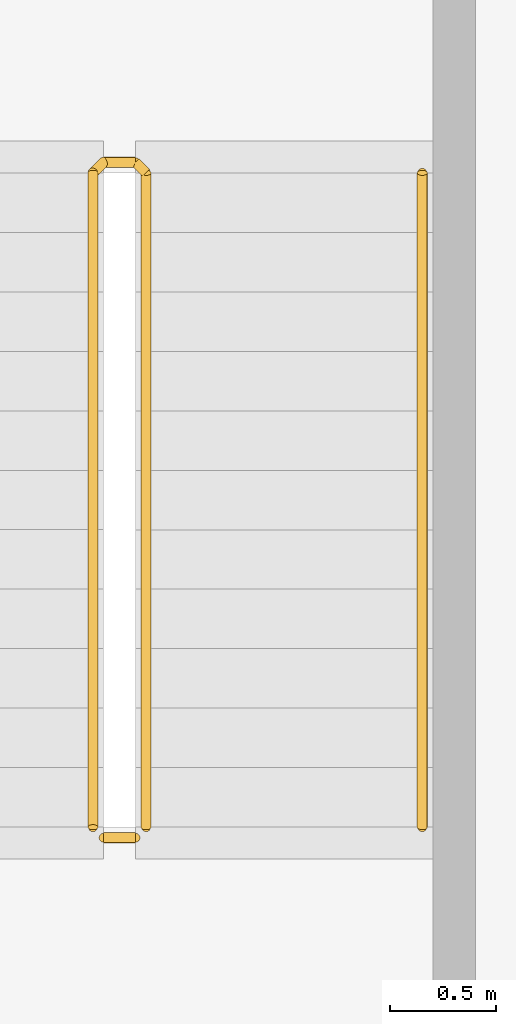
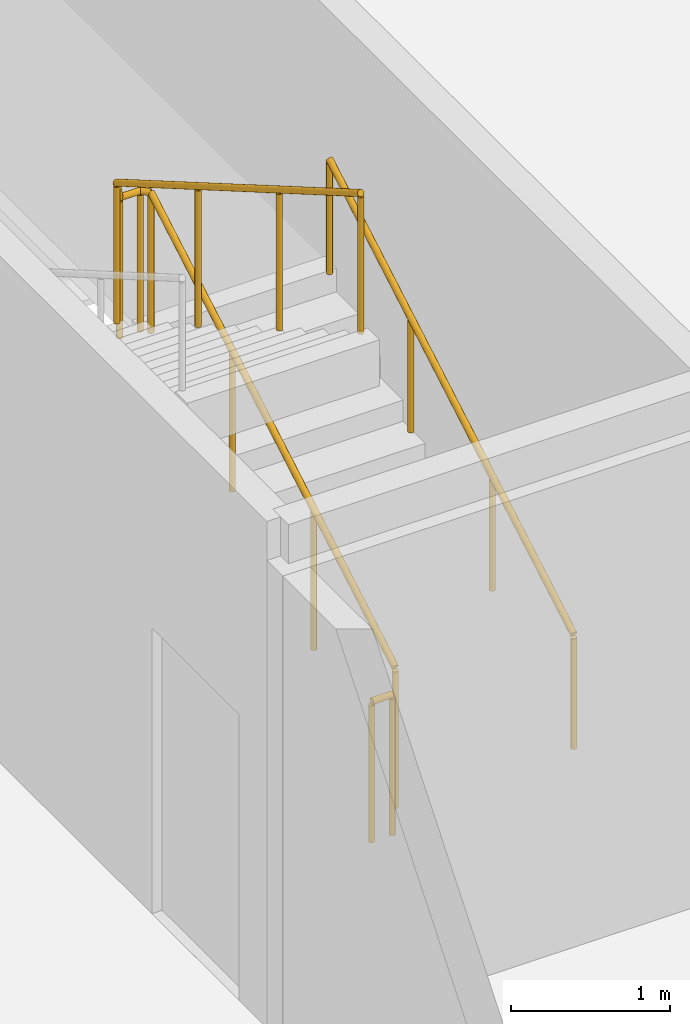
# One storey, part 25 of 26: 3 railings.
"""IFC4 building model written with IfcOpenShell, lengths in metres."""

from ifc_helpers import new_model, si_unit, direction, frame, origin, origin_2d, place, context, subcontext, project, spatial, circle, extrude, material, type_object, element, save


model = new_model("IFC4")

# Units and contexts
model_context = context("Model", 3, precision=1e-05, world=origin(), true_north=direction((0.0, 1.0)))
body_context = subcontext(model_context, "Body", "Model", "MODEL_VIEW")
ifc_project = project(units=[si_unit("LENGTHUNIT", "METRE"), si_unit("AREAUNIT", "SQUARE_METRE"), si_unit("VOLUMEUNIT", "CUBIC_METRE"), si_unit("PLANEANGLEUNIT", "RADIAN"), si_unit("MASSUNIT", "GRAM", prefix="KILO")], contexts=[model_context])

# Site, building, storey
site_placement = place(None, origin())
site = spatial("IfcSite", under=ifc_project, at=site_placement, CompositionType="ELEMENT")
building_placement = place(site_placement, origin())
building = spatial("IfcBuilding", under=site, at=building_placement, Name="Kheshtan School and Residences Tower", CompositionType="ELEMENT")
storey_placement = place(building_placement, frame((0.0, 0.0, 105.800048828125)))
storey = spatial("IfcBuildingStorey", under=building, at=storey_placement, Name="L24", CompositionType="ELEMENT", Elevation=105.800048828125)

# Railings
ifc_material_1 = material(Name="Stainless steel balustrade", Category="steel")
railing_type_1 = type_object("IfcRailingType", Name="Stair guard 1100", PredefinedType="GUARDRAIL", material=ifc_material_1)
railing_1_placement = place(storey_placement, frame((35.0, 80.89990234375, 0.162353515625)))
element("IfcRailing", 1, at=railing_1_placement, inside=storey, type_object=railing_type_1, Name="L24 ST3 stair guard 1", PredefinedType="GUARDRAIL", context=body_context, shape_type="SweptSolid", body=[
    extrude(circle(Radius=0.02392578125, at=origin_2d()), frame((0.0, 0.0, 1.076171875), z_axis=(0.0, 0.864890721111, 0.501960198159), x_axis=(-1.0, 0.0, 0.0)), (0.0, 0.0, 1.0), 3.561279296875),
    extrude(circle(Radius=0.02392578125, at=origin_2d()), frame((0.0, 3.080078125, 2.86376953125), z_axis=(-0.707106781187, 0.707106781187, 0.0), x_axis=(-0.707106781187, -0.707106781187, 0.0)), (0.0, 0.0, 1.0), 0.07080078125),
    extrude(circle(Radius=0.02392578125, at=origin_2d()), frame((-0.050048828125, 3.130126953125, 2.86376953125), z_axis=(-1.0, 0.0, 0.0), x_axis=(0.0, -1.0, 0.0)), (0.0, 0.0, 1.0), 0.14990234375),
    extrude(circle(Radius=0.02392578125, at=origin_2d()), frame((-0.199951171875, 3.130126953125, 2.86376953125), z_axis=(-0.282227285176, -0.282227285176, 0.916894497205), x_axis=(0.707106781187, -0.707106781187, 0.0)), (0.0, 0.0, 1.0), 0.17724609375),
    extrude(circle(Radius=0.02392578125, at=origin_2d()), frame((-0.25, 3.080078125, 3.0263671875), z_axis=(0.0, -0.864920483161, 0.501908913857), x_axis=(1.0, 0.0, 0.0)), (0.0, 0.0, 1.0), 3.56103515625),
    extrude(circle(Radius=0.02099609375, at=origin_2d()), origin(), (0.0, 0.0, 1.0), 1.052001953125),
    extrude(circle(Radius=0.02099609375, at=origin_2d()), frame((0.0, 1.026611328125, 0.595947265625)), (0.0, 0.0, 1.0), 1.052001953125),
    extrude(circle(Radius=0.02099609375, at=origin_2d()), frame((0.0, 2.053466796875, 1.191650390625)), (0.0, 0.0, 1.0), 1.052001953125),
    extrude(circle(Radius=0.02099609375, at=origin_2d()), frame((0.0, 3.080078125, 1.78759765625)), (0.0, 0.0, 1.0), 1.052001953125),
    extrude(circle(Radius=0.02099609375, at=origin_2d()), frame((-0.050048828125, 3.130126953125, 1.78759765625)), (0.0, 0.0, 1.0), 1.052001953125),
    extrude(circle(Radius=0.02099609375, at=origin_2d()), frame((-0.199951171875, 3.130126953125, 1.78759765625)), (0.0, 0.0, 1.0), 1.052001953125),
    extrude(circle(Radius=0.02099609375, at=origin_2d()), frame((-0.25, 3.080078125, 1.9501953125)), (0.0, 0.0, 1.0), 1.052001953125),
    extrude(circle(Radius=0.02099609375, at=origin_2d()), frame((-0.25, 2.053466796875, 2.5458984375)), (0.0, 0.0, 1.0), 1.052001953125),
    extrude(circle(Radius=0.02099609375, at=origin_2d()), frame((-0.25, 1.026611328125, 3.141845703125)), (0.0, 0.0, 1.0), 1.052001953125),
    extrude(circle(Radius=0.02099609375, at=origin_2d()), frame((-0.25, 0.0, 3.737548828125)), (0.0, 0.0, 1.0), 1.052001953125),
])
railing_2_placement = place(storey_placement, frame((34.949951171875, 80.85009765625, 0.0)))
element("IfcRailing", 2, at=railing_2_placement, inside=storey, type_object=railing_type_1, Name="L24 ST3 stair guard 2", PredefinedType="GUARDRAIL", context=body_context, shape_type="SweptSolid", body=[
    extrude(circle(Radius=0.02392578125, at=origin_2d()), frame((0.0, 0.0, 1.076171875), z_axis=(-1.0, 0.0, 0.0), x_axis=(0.0, -1.0, 0.0)), (0.0, 0.0, 1.0), 0.14990234375),
    extrude(circle(Radius=0.02099609375, at=origin_2d()), origin(), (0.0, 0.0, 1.0), 1.052001953125),
    extrude(circle(Radius=0.02099609375, at=origin_2d()), frame((-0.14990234375, 0.0, 0.0)), (0.0, 0.0, 1.0), 1.052001953125),
])
ifc_material_2 = material(Name="Stainless steel handrail", Category="steel")
railing_type_2 = type_object("IfcRailingType", Name="Stair handrail 900", PredefinedType="HANDRAIL", material=ifc_material_2)
railing_3_placement = place(storey_placement, frame((36.300048828125, 80.89990234375, 0.162353515625)))
element("IfcRailing", 3, at=railing_3_placement, inside=storey, type_object=railing_type_2, Name="L24 ST3 stair handrail 1", PredefinedType="HANDRAIL", context=body_context, shape_type="SweptSolid", body=[
    extrude(circle(Radius=0.02392578125, at=origin_2d()), frame((0.0, 0.0, 0.8759765625), z_axis=(0.0, 0.864890721111, 0.501960198159), x_axis=(-1.0, 0.0, 0.0)), (0.0, 0.0, 1.0), 3.561279296875),
    extrude(circle(Radius=0.02099609375, at=origin_2d()), origin(), (0.0, 0.0, 1.0), 0.851806640625),
    extrude(circle(Radius=0.02099609375, at=origin_2d()), frame((0.0, 1.026611328125, 0.595947265625)), (0.0, 0.0, 1.0), 0.851806640625),
    extrude(circle(Radius=0.02099609375, at=origin_2d()), frame((0.0, 2.053466796875, 1.191650390625)), (0.0, 0.0, 1.0), 0.851806640625),
    extrude(circle(Radius=0.02099609375, at=origin_2d()), frame((0.0, 3.080078125, 1.78759765625)), (0.0, 0.0, 1.0), 0.851806640625),
])

save(model, "model.ifc")
